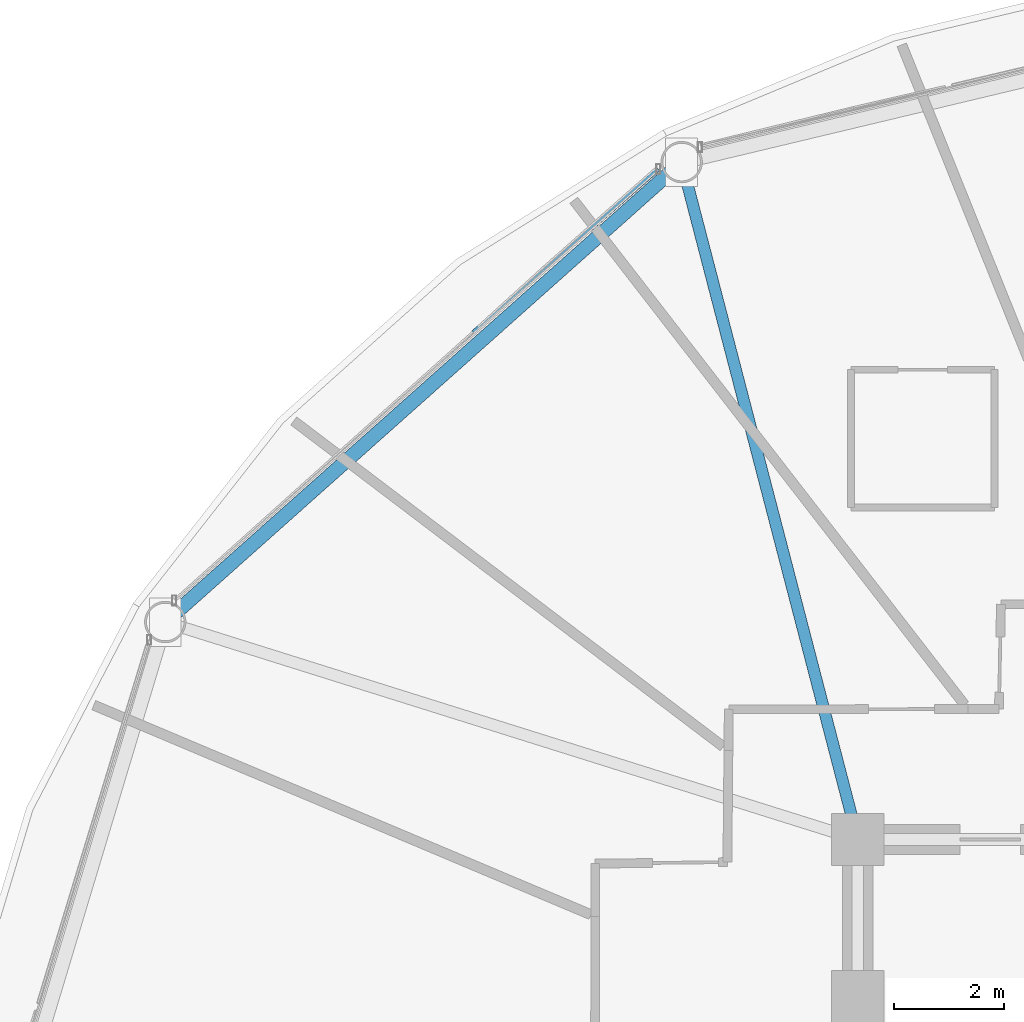
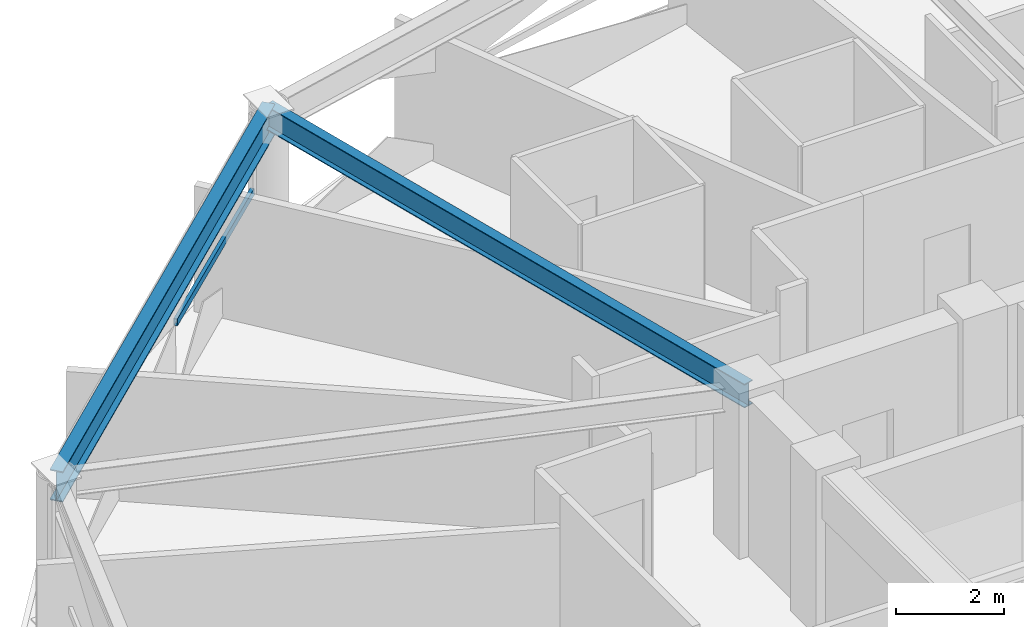
# One storey, part 15 of 32: 2 beams, 1 member, 1 element without a shape of its own.
"""IFC4 building model written with IfcOpenShell, lengths in metres."""

from ifc_helpers import new_model, si_unit, direction, frame, origin, origin_2d, place, context, subcontext, project, spatial, hollow_rectangle, i_section, extrude, material, layer, layer_set, material_profile, profile_set, type_object, element, aggregate, save


model = new_model("IFC4")

# Units and contexts
model_context = context("Model", 3, precision=1e-05, world=origin(), true_north=direction((0.0, 1.0)))
body_context = subcontext(model_context, "Body", "Model", "MODEL_VIEW")
ifc_project = project(units=[si_unit("LENGTHUNIT", "METRE"), si_unit("AREAUNIT", "SQUARE_METRE"), si_unit("VOLUMEUNIT", "CUBIC_METRE"), si_unit("PLANEANGLEUNIT", "RADIAN"), si_unit("MASSUNIT", "GRAM", prefix="KILO")], contexts=[model_context])

# Site, building, storey
site_placement = place(None, origin())
site = spatial("IfcSite", under=ifc_project, at=site_placement, CompositionType="ELEMENT")
building_placement = place(site_placement, origin())
building = spatial("IfcBuilding", under=site, at=building_placement, Name="Vantalir Tower", CompositionType="ELEMENT")
storey_placement = place(building_placement, frame((0.0, 0.0, 100.949951171875)))
storey = spatial("IfcBuildingStorey", under=building, at=storey_placement, Name="L24", CompositionType="ELEMENT", Elevation=100.949951171875)

# Beams
ifc_material_1 = material(Name="Steel S355", Category="steel")
ifc_material_profile_1 = material_profile(ifc_material_1, i_section(OverallWidth=0.2109375, OverallDepth=0.5390625, WebThickness=0.01171875, FlangeThickness=0.018798828125, at=origin_2d()), Name="Steel S355")
ifc_profile_set_1 = profile_set([ifc_material_profile_1], Name="Steel S355")
beam_type_1 = type_object("IfcBeamType", Name="BM-RB-533x210", PredefinedType="BEAM", material=ifc_profile_set_1)
beam_1_placement = place(storey_placement, frame((18.7060546875, 44.735107421875, 3.300048828125), z_axis=(0.251612232967, -0.967828127418, 0.0), x_axis=(0.967828127418, 0.251612232967, 0.0)))
element("IfcBeam", 1, at=beam_1_placement, inside=storey, type_object=beam_type_1, Name="L24 Radial Floor Beam 05", PredefinedType="BEAM", context=body_context, shape_type="SweptSolid", body=[
    extrude(i_section(OverallWidth=0.2109375, OverallDepth=0.5390625, WebThickness=0.01171875, FlangeThickness=0.018798828125, at=origin_2d()), origin(), (0.0, 0.0, 1.0), 12.693603515625),
])
ifc_material_2 = material(Name="Steel S460", Category="steel")
ifc_material_profile_2 = material_profile(ifc_material_2, i_section(OverallWidth=0.256103515625, OverallDepth=0.693115234375, WebThickness=0.014404296875, FlangeThickness=0.023681640625, at=origin_2d()), Name="Steel S460")
ifc_profile_set_2 = profile_set([ifc_material_profile_2], Name="Steel S460")
beam_type_2 = type_object("IfcBeamType", Name="BM-RG-686x254", PredefinedType="USERDEFINED", material=ifc_profile_set_2)
beam_2_placement = place(storey_placement, frame((18.7060546875, 44.735107421875, 3.22314453125), z_axis=(-0.746784993974, -0.665065540211, 0.0), x_axis=(0.665065540211, -0.746784993974, 0.0)))
element("IfcBeam", 2, at=beam_2_placement, inside=storey, type_object=beam_type_2, Name="L24 Circumferential Ring Girder 05", ObjectType="GIRDER", PredefinedType="USERDEFINED", context=body_context, shape_type="SweptSolid", body=[
    extrude(i_section(OverallWidth=0.256103515625, OverallDepth=0.693115234375, WebThickness=0.014404296875, FlangeThickness=0.023681640625, at=origin_2d()), origin(), (0.0, 0.0, 1.0), 12.541748046875),
])

# Curtain wall, member
ifc_material_3 = material(Name="Champagne-silver PVDF aluminium and double-silver Low-E glass", Category="aluminium")
ifc_layer = layer(ifc_material_3, 0.199951171875)
ifc_layer_set = layer_set([ifc_layer], Name="Champagne-silver PVDF aluminium and double-silver Low-E glass")
curtain_wall_type = type_object("IfcCurtainWallType", Name="CW-DIAMOND-Z2", PredefinedType="USERDEFINED", material=ifc_layer_set)
curtain_wall_placement = place(storey_placement, origin())
curtain_wall = element("IfcCurtainWall", 3, at=curtain_wall_placement, inside=storey, type_object=curtain_wall_type, Name="L24 Quilted Pyramid-Diamond Curtain Wall S05", ObjectType="UNITISED CURTAIN WALL", PredefinedType="USERDEFINED")
ifc_material_4 = material(Name="Champagne-silver PVDF aluminium 6063-T6", Category="aluminium")
ifc_material_profile_3 = material_profile(ifc_material_4, hollow_rectangle(XDim=0.074951171875, YDim=0.159912109375, WallThickness=0.00390625, at=origin_2d()), Name="Champagne-silver PVDF aluminium 6063-T6")
ifc_profile_set_3 = profile_set([ifc_material_profile_3], Name="Champagne-silver PVDF aluminium 6063-T6")
member_type = type_object("IfcMemberType", Name="CWT-160x75", PredefinedType="USERDEFINED", material=ifc_profile_set_3)
member_placement = place(storey_placement, frame((18.282958984375, 44.60693359375, 1.78515625), z_axis=(-0.750115126779, -0.661307263364, 0.0), x_axis=(0.661307263364, -0.750115126779, 0.0)))
member = element("IfcMember", 4, at=member_placement, type_object=member_type, Name="CW-L24-S05 Pyramid Fold Ridge Transom", ObjectType="TRANSOM", PredefinedType="USERDEFINED", context=body_context, shape_type="SweptSolid", body=[
    extrude(hollow_rectangle(XDim=0.074951171875, YDim=0.159912109375, WallThickness=0.00390625, at=origin_2d()), origin(), (0.0, 0.0, 1.0), 4.469970703125),
])
aggregate(curtain_wall, [member])

save(model, "model.ifc")
